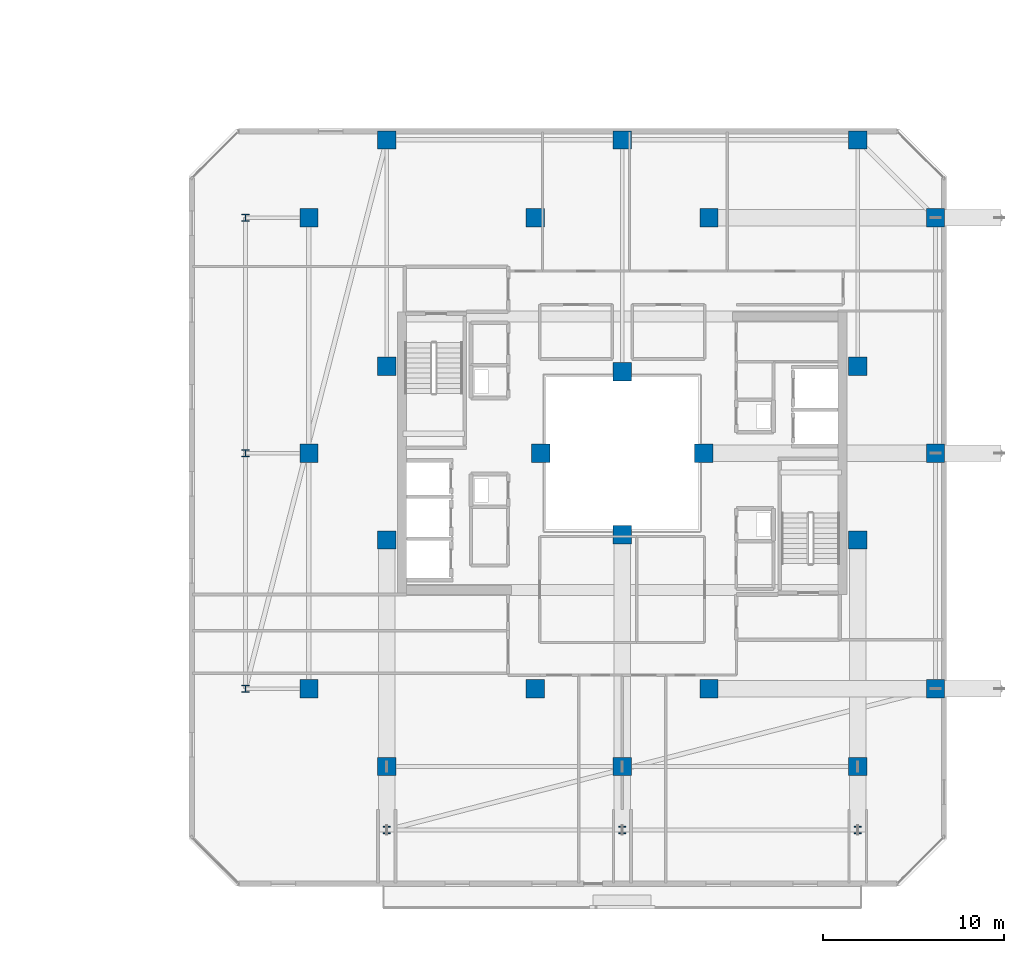
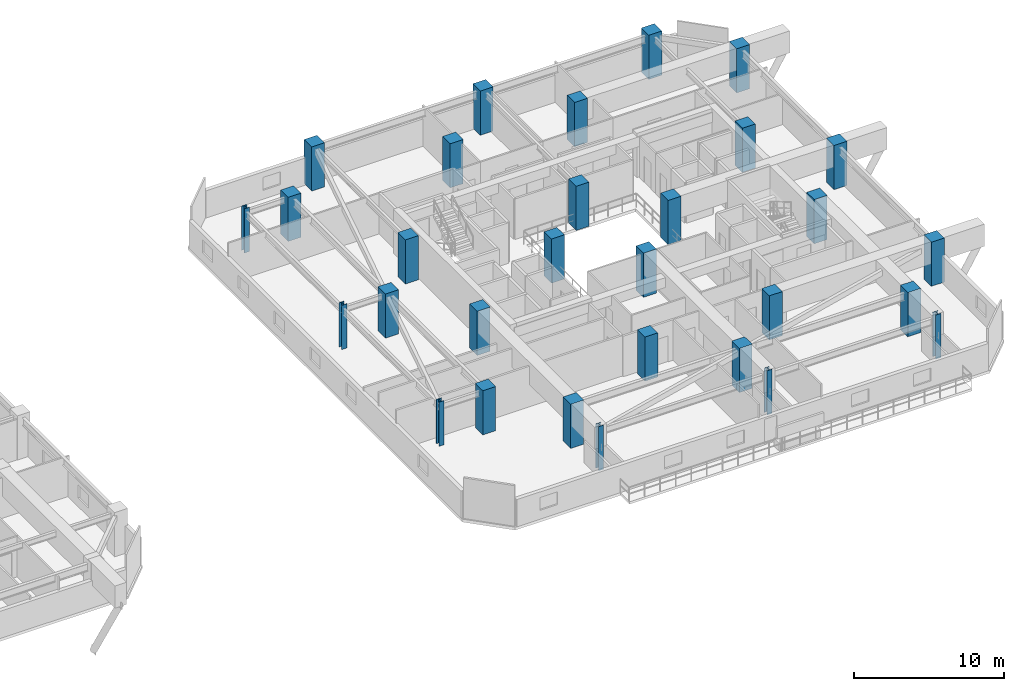
# One storey, part 2 of 35: 30 columns.
"""IFC4 building model written with IfcOpenShell, lengths in metres."""

from ifc_helpers import new_model, si_unit, direction, frame, origin, origin_2d, place, context, subcontext, project, spatial, rectangle, i_section, extrude, material, material_profile, profile_set, type_object, element, save


model = new_model("IFC4")

# Units and contexts
model_context = context("Model", 3, precision=1e-05, world=origin(), true_north=direction((0.0, 1.0)))
body_context = subcontext(model_context, "Body", "Model", "MODEL_VIEW")
ifc_project = project(units=[si_unit("LENGTHUNIT", "METRE"), si_unit("AREAUNIT", "SQUARE_METRE"), si_unit("VOLUMEUNIT", "CUBIC_METRE"), si_unit("PLANEANGLEUNIT", "RADIAN"), si_unit("MASSUNIT", "GRAM", prefix="KILO")], contexts=[model_context])

# Site, building, storey
site_placement = place(None, origin())
site = spatial("IfcSite", under=ifc_project, at=site_placement, CompositionType="ELEMENT")
building_placement = place(site_placement, origin())
building = spatial("IfcBuilding", under=site, at=building_placement, Name="Thornwick Lancets Civic Towers", CompositionType="ELEMENT")
storey_placement = place(building_placement, frame((0.0, 0.0, 225.89990234375)))
storey = spatial("IfcBuildingStorey", under=building, at=storey_placement, Name="L60", CompositionType="ELEMENT", Elevation=225.89990234375)

# Columns
ifc_material_1 = material(Name="Concrete C50/60", Category="concrete")
ifc_material_profile_1 = material_profile(ifc_material_1, rectangle(XDim=1.0, YDim=1.0, at=origin_2d()), Name="RC 1000x1000")
ifc_profile_set_1 = profile_set([ifc_material_profile_1], Name="Concrete C50/60")
column_type_1 = type_object("IfcColumnType", Name="COL_RC_1000", PredefinedType="COLUMN", material=ifc_profile_set_1)
for number, where, z_axis, x_axis, name in (
    (1, (105.800048828125, 14.0, 0.0), (0.0, 0.0, 1.0), (1.0, 0.0, 0.0), "L60 Spine Mega-Column B01"),
    (2, (105.800048828125, 27.0, 0.0), (0.0, 0.0, 1.0), (1.0, 0.0, 0.0), "L60 Spine Mega-Column B02"),
    (3, (105.800048828125, 40.0, 0.0), (0.0, 0.0, 1.0), (1.0, 0.0, 0.0), "L60 Spine Mega-Column B03"),
    (4, (101.5, 44.300048828125, 0.0), (0.0, 0.0, 1.0), (1.0, 0.0, 0.0), "L60 Spine Mega-Column B04"),
    (5, (88.5, 44.300048828125, 0.0), (0.0, 0.0, 1.0), (1.0, 0.0, 0.0), "L60 Spine Mega-Column B05"),
    (6, (75.5, 44.300048828125, 0.0), (0.0, 0.0, 1.0), (1.0, 0.0, 0.0), "L60 Spine Mega-Column B06"),
    (7, (71.199951171875, 14.0, 0.0), (0.0, 0.0, 1.0), (1.0, 0.0, 0.0), "L60 Spine Mega-Column B07"),
    (8, (71.199951171875, 27.0, 0.0), (0.0, 0.0, 1.0), (1.0, 0.0, 0.0), "L60 Spine Mega-Column B08"),
    (9, (71.199951171875, 40.0, 0.0), (0.0, 0.0, 1.0), (1.0, 0.0, 0.0), "L60 Spine Mega-Column B09"),
    (10, (101.5, 9.699951171875, 0.0), (0.0, 0.0, 1.0), (1.0, 0.0, 0.0), "L60 Spine Mega-Column B10"),
    (11, (88.5, 9.699951171875, 0.0), (0.0, 0.0, 1.0), (1.0, 0.0, 0.0), "L60 Spine Mega-Column B11"),
    (12, (75.5, 9.699951171875, 0.0), (0.0, 0.0, 1.0), (1.0, 0.0, 0.0), "L60 Spine Mega-Column B12"),
    (13, (93.300048828125, 14.0, 0.0), (0.0, 0.0, 1.0), (1.0, 0.0, 0.0), "L60 Spine Mega-Column B13"),
    (14, (93.300048828125, 40.0, 0.0), (0.0, 0.0, 1.0), (1.0, 0.0, 0.0), "L60 Spine Mega-Column B14"),
    (15, (83.699951171875, 14.0, 0.0), (0.0, 0.0, 1.0), (1.0, 0.0, 0.0), "L60 Spine Mega-Column B15"),
    (16, (83.699951171875, 40.0, 0.0), (0.0, 0.0, 1.0), (1.0, 0.0, 0.0), "L60 Spine Mega-Column B16"),
    (17, (101.5, 22.199951171875, 0.0), (0.0, 0.0, 1.0), (1.0, 0.0, 0.0), "L60 Spine Mega-Column B17"),
    (18, (101.5, 31.800048828125, 0.0), (0.0, 0.0, 1.0), (1.0, 0.0, 0.0), "L60 Spine Mega-Column B18"),
    (19, (75.5, 22.199951171875, 0.0), (0.0, 0.0, 1.0), (1.0, 0.0, 0.0), "L60 Spine Mega-Column B19"),
    (20, (75.5, 31.800048828125, 0.0), (0.0, 0.0, 1.0), (1.0, 0.0, 0.0), "L60 Spine Mega-Column B20"),
    (21, (93.0, 27.0, 0.0), (0.0, 0.0, 1.0), (1.0, 0.0, 0.0), "L60 Spine Mega-Column B21"),
    (22, (84.0, 27.0, 0.0), (0.0, 0.0, 1.0), (1.0, 0.0, 0.0), "L60 Spine Mega-Column B22"),
    (23, (88.5, 22.5, 0.0), (0.0, 0.0, 1.0), (1.0, 0.0, 0.0), "L60 Spine Mega-Column B23"),
    (24, (88.5, 31.5, 0.0), (0.0, 0.0, 1.0), (1.0, 0.0, 0.0), "L60 Spine Mega-Column B24"),
):
    element("IfcColumn", number, at=place(storey_placement, frame(where, z_axis=z_axis, x_axis=x_axis)), inside=storey, type_object=column_type_1, Name=name, PredefinedType="COLUMN", context=body_context, shape_type="SweptSolid", body=[
        extrude(rectangle(XDim=1.0, YDim=1.0, at=origin_2d()), origin(), (0.0, 0.0, 1.0), 3.60009765625),
    ])
ifc_material_2 = material(Name="Steel S355JR", Category="steel")
ifc_material_profile_2 = material_profile(ifc_material_2, i_section(OverallWidth=0.39892578125, OverallDepth=0.3935546875, WebThickness=0.022705078125, FlangeThickness=0.03662109375, FilletRadius=0.01513671875, at=origin_2d()), Name="UKC 356x406x287")
ifc_profile_set_2 = profile_set([ifc_material_profile_2], Name="Steel S355JR")
column_type_2 = type_object("IfcColumnType", Name="COL_UKC_287", PredefinedType="COLUMN", material=ifc_profile_set_2)
for number, where, z_axis, x_axis, name in (
    (25, (67.699951171875, 14.0, 0.0), (0.0, 0.0, 1.0), (1.0, 0.0, 0.0), "L60 Block Perimeter Column B07"),
    (26, (67.699951171875, 27.0, 0.0), (0.0, 0.0, 1.0), (1.0, 0.0, 0.0), "L60 Block Perimeter Column B08"),
    (27, (67.699951171875, 40.0, 0.0), (0.0, 0.0, 1.0), (1.0, 0.0, 0.0), "L60 Block Perimeter Column B09"),
    (28, (101.5, 6.199951171875, 0.0), (0.0, 0.0, 1.0), (1.0, 0.0, 0.0), "L60 Block Perimeter Column B10"),
    (29, (88.5, 6.199951171875, 0.0), (0.0, 0.0, 1.0), (1.0, 0.0, 0.0), "L60 Block Perimeter Column B11"),
    (30, (75.5, 6.199951171875, 0.0), (0.0, 0.0, 1.0), (1.0, 0.0, 0.0), "L60 Block Perimeter Column B12"),
):
    element("IfcColumn", number, at=place(storey_placement, frame(where, z_axis=z_axis, x_axis=x_axis)), inside=storey, type_object=column_type_2, Name=name, PredefinedType="COLUMN", context=body_context, shape_type="SweptSolid", body=[
        extrude(i_section(OverallWidth=0.39892578125, OverallDepth=0.3935546875, WebThickness=0.022705078125, FlangeThickness=0.03662109375, FilletRadius=0.01513671875, at=origin_2d()), origin(), (0.0, 0.0, 1.0), 3.60009765625),
    ])

save(model, "model.ifc")
